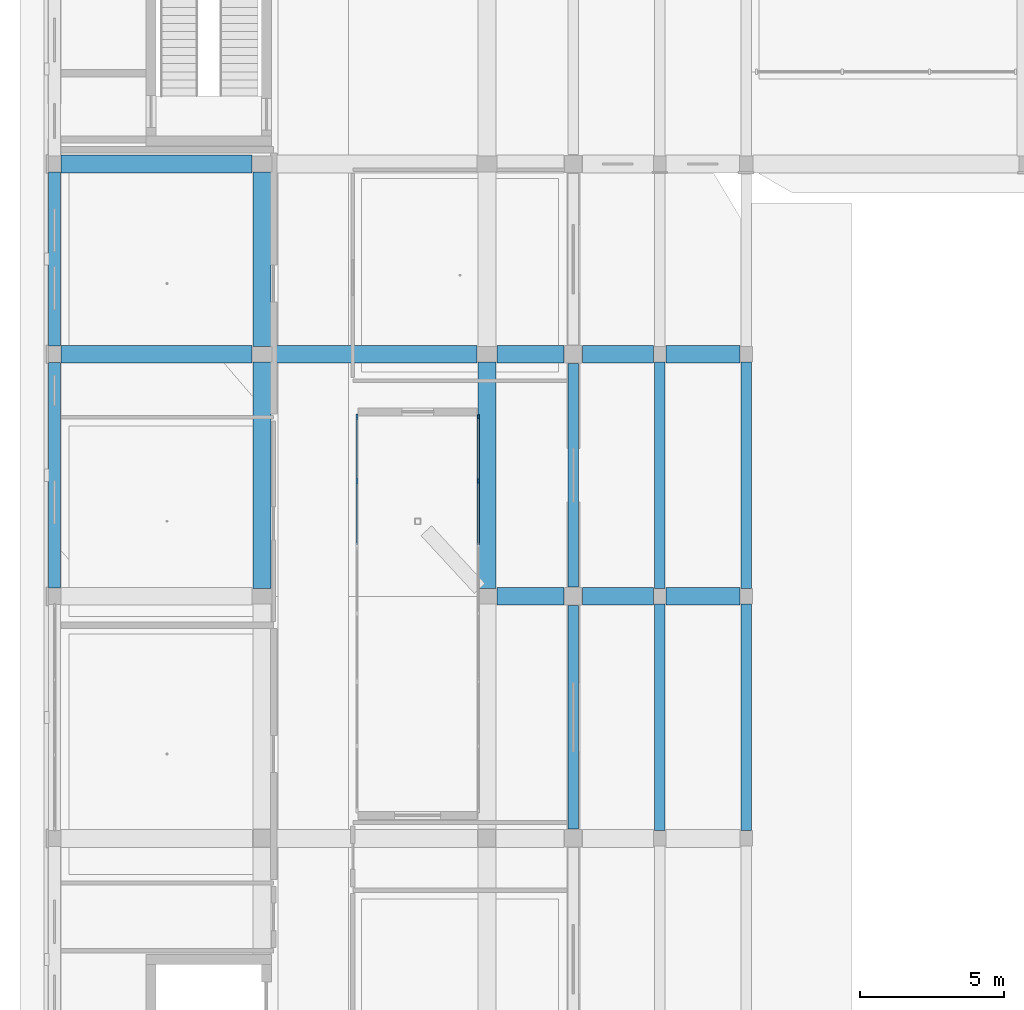
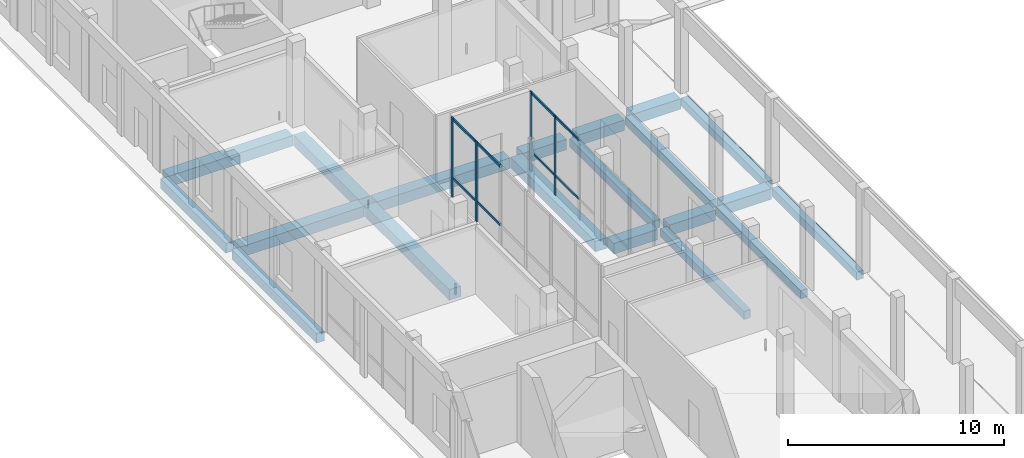
# One storey, part 22 of 88: 20 beams, 8 members, 2 elements without a shape of their own.
"""IFC4 building model written with IfcOpenShell, lengths in metres."""

from ifc_helpers import new_model, si_unit, derived_unit, direction, frame, origin, origin_2d, place, context, subcontext, project, spatial, rectangle, extrude, material, material_profile, profile_set, type_object, element, aggregate, save


model = new_model("IFC4")

# Units and contexts
model_context = context("Model", 3, precision=1e-05, world=origin(), true_north=direction((0.0, 1.0)))
body_context = subcontext(model_context, "Body", "Model", "MODEL_VIEW")
ifc_project = project(units=[si_unit("LENGTHUNIT", "METRE"), si_unit("AREAUNIT", "SQUARE_METRE"), si_unit("VOLUMEUNIT", "CUBIC_METRE"), si_unit("PLANEANGLEUNIT", "RADIAN"), si_unit("MASSUNIT", "GRAM", prefix="KILO"), derived_unit("THERMALTRANSMITTANCEUNIT", [(si_unit("POWERUNIT", "WATT"), 1), (si_unit("LENGTHUNIT", "METRE"), -2), (si_unit("THERMODYNAMICTEMPERATUREUNIT", "KELVIN"), -1)])], contexts=[model_context])

# Site, building, storey
site_placement = place(None, origin())
site = spatial("IfcSite", under=ifc_project, at=site_placement, CompositionType="ELEMENT")
building_placement = place(site_placement, origin())
building = spatial("IfcBuilding", under=site, at=building_placement, Name="Braskholm Square Health Centre", CompositionType="ELEMENT")
storey_placement = place(building_placement, origin())
storey = spatial("IfcBuildingStorey", under=building, at=storey_placement, Name="L01", CompositionType="ELEMENT", Elevation=0.0)

# Curtain wall, members
ifc_material_1 = material(Name="Low-E triple insulating glass (VLT 0.64)", Category="glass")
curtain_wall_type = type_object("IfcCurtainWallType", Name="UnitisedCurtainWall4800x4400", PredefinedType="NOTDEFINED", material=ifc_material_1)
curtain_wall_1_placement = place(storey_placement, origin())
curtain_wall_1 = element("IfcCurtainWall", 1, at=curtain_wall_1_placement, inside=storey, type_object=curtain_wall_type, Name="WC2 Court E unitised curtain wall CW-L01-0290", PredefinedType="NOTDEFINED")
ifc_material_2 = material(Name="Architectural bronze anodised aluminium", Category="aluminium")
ifc_material_profile_1 = material_profile(ifc_material_2, rectangle(XDim=0.06494140625, YDim=0.14990234375, at=origin_2d()), Name="ALU-65X150")
ifc_profile_set_1 = profile_set([ifc_material_profile_1], Name="Architectural bronze anodised aluminium")
member_type_1 = type_object("IfcMemberType", Name="CurtainWallMullion65x150", PredefinedType="MULLION", material=ifc_profile_set_1)
member_1_placement = place(storey_placement, frame((18.89990234375, 78.432861328125, 0.0), z_axis=(0.0, 0.0, 1.0), x_axis=(1.0, 0.0, 0.0)))
member_1 = element("IfcMember", 2, at=member_1_placement, type_object=member_type_1, Name="CW-L01-0290 vertical mullion 1", PredefinedType="MULLION", context=body_context, shape_type="SweptSolid", body=[
    extrude(rectangle(XDim=0.06494140625, YDim=0.14990234375, at=origin_2d()), origin(), (0.0, 0.0, 1.0), 4.5),
])
member_2_placement = place(storey_placement, frame((18.89990234375, 76.198974609375, 0.0), z_axis=(0.0, 0.0, 1.0), x_axis=(1.0, 0.0, 0.0)))
member_2 = element("IfcMember", 3, at=member_2_placement, type_object=member_type_1, Name="CW-L01-0290 vertical mullion 2", PredefinedType="MULLION", context=body_context, shape_type="SweptSolid", body=[
    extrude(rectangle(XDim=0.06494140625, YDim=0.14990234375, at=origin_2d()), origin(), (0.0, 0.0, 1.0), 4.5),
])

curtain_wall_2_placement = place(storey_placement, origin())
curtain_wall_2 = element("IfcCurtainWall", 4, at=curtain_wall_2_placement, inside=storey, type_object=curtain_wall_type, Name="WC2 Court W unitised curtain wall CW-L01-0289", PredefinedType="NOTDEFINED")
ifc_material_profile_2 = material_profile(ifc_material_2, rectangle(XDim=0.074951171875, YDim=0.179931640625, at=origin_2d()), Name="ALU-75X180")
ifc_profile_set_2 = profile_set([ifc_material_profile_2], Name="Architectural bronze anodised aluminium")
member_type_2 = type_object("IfcMemberType", Name="CurtainWallMullion75x180", PredefinedType="MULLION", material=ifc_profile_set_2)
member_3_placement = place(storey_placement, frame((14.699951171875, 76.198974609375, 0.0), z_axis=(0.0, 0.0, 1.0), x_axis=(1.0, 0.0, 0.0)))
member_3 = element("IfcMember", 5, at=member_3_placement, type_object=member_type_2, Name="CW-L01-0289 vertical mullion 2", PredefinedType="MULLION", context=body_context, shape_type="SweptSolid", body=[
    extrude(rectangle(XDim=0.074951171875, YDim=0.179931640625, at=origin_2d()), origin(), (0.0, 0.0, 1.0), 4.5),
])
member_4_placement = place(storey_placement, frame((14.699951171875, 78.432861328125, 0.0), z_axis=(0.0, 0.0, 1.0), x_axis=(1.0, 0.0, 0.0)))
member_4 = element("IfcMember", 6, at=member_4_placement, type_object=member_type_2, Name="CW-L01-0289 vertical mullion 3", PredefinedType="MULLION", context=body_context, shape_type="SweptSolid", body=[
    extrude(rectangle(XDim=0.074951171875, YDim=0.179931640625, at=origin_2d()), origin(), (0.0, 0.0, 1.0), 4.5),
])

# Member
ifc_material_profile_3 = material_profile(ifc_material_2, rectangle(XDim=0.06494140625, YDim=0.1201171875, at=origin_2d()), Name="ALU-65X120")
ifc_profile_set_3 = profile_set([ifc_material_profile_3], Name="Architectural bronze anodised aluminium")
member_type_3 = type_object("IfcMemberType", Name="CurtainWallTransom65x120", PredefinedType="USERDEFINED", material=ifc_profile_set_3)
member_5_placement = place(storey_placement, frame((18.89990234375, 78.4150390625, 1.1201171875), z_axis=(0.0, -1.0, 0.0), x_axis=(1.0, 0.0, 0.0)))
member_5 = element("IfcMember", 7, at=member_5_placement, type_object=member_type_3, Name="CW-L01-0290 horizontal transom 1", ObjectType="TRANSOM", PredefinedType="USERDEFINED", context=body_context, shape_type="SweptSolid", body=[
    extrude(rectangle(XDim=0.06494140625, YDim=0.1201171875, at=origin_2d()), origin(), (0.0, 0.0, 1.0), 4.43212890625),
])

member_6_placement = place(storey_placement, frame((18.89990234375, 78.4150390625, 4.429931640625), z_axis=(0.0, -1.0, 0.0), x_axis=(1.0, 0.0, 0.0)))
member_6 = element("IfcMember", 8, at=member_6_placement, type_object=member_type_3, Name="CW-L01-0290 horizontal transom 2", ObjectType="TRANSOM", PredefinedType="USERDEFINED", context=body_context, shape_type="SweptSolid", body=[
    extrude(rectangle(XDim=0.06494140625, YDim=0.1201171875, at=origin_2d()), origin(), (0.0, 0.0, 1.0), 4.43212890625),
])

aggregate(curtain_wall_1, [member_1, member_2, member_5, member_6])

ifc_material_profile_4 = material_profile(ifc_material_2, rectangle(XDim=0.074951171875, YDim=0.139892578125, at=origin_2d()), Name="ALU-75X140")
ifc_profile_set_4 = profile_set([ifc_material_profile_4], Name="Architectural bronze anodised aluminium")
member_type_4 = type_object("IfcMemberType", Name="CurtainWallTransom75x140", PredefinedType="USERDEFINED", material=ifc_profile_set_4)
member_7_placement = place(storey_placement, frame((14.699951171875, 73.98291015625, 1.1201171875), z_axis=(0.0, 1.0, 0.0), x_axis=(-1.0, 0.0, 0.0)))
member_7 = element("IfcMember", 9, at=member_7_placement, type_object=member_type_4, Name="CW-L01-0289 horizontal transom 1", ObjectType="TRANSOM", PredefinedType="USERDEFINED", context=body_context, shape_type="SweptSolid", body=[
    extrude(rectangle(XDim=0.074951171875, YDim=0.139892578125, at=origin_2d()), origin(), (0.0, 0.0, 1.0), 4.43212890625),
])

member_8_placement = place(storey_placement, frame((14.699951171875, 73.98291015625, 4.429931640625), z_axis=(0.0, 1.0, 0.0), x_axis=(-1.0, 0.0, 0.0)))
member_8 = element("IfcMember", 10, at=member_8_placement, type_object=member_type_4, Name="CW-L01-0289 horizontal transom 2", ObjectType="TRANSOM", PredefinedType="USERDEFINED", context=body_context, shape_type="SweptSolid", body=[
    extrude(rectangle(XDim=0.074951171875, YDim=0.139892578125, at=origin_2d()), origin(), (0.0, 0.0, 1.0), 4.43212890625),
])

aggregate(curtain_wall_2, [member_3, member_4, member_7, member_8])

# Beams
ifc_material_3 = material(Name="Concrete C40/50 (f'c = 40 MPa)", Category="concrete")
ifc_material_profile_5 = material_profile(ifc_material_3, rectangle(XDim=0.6201171875, YDim=0.60009765625, at=origin_2d()), Name="RCB-620X600")
ifc_profile_set_5 = profile_set([ifc_material_profile_5], Name="Concrete C40/50 (f'c = 40 MPa)")
beam_type_1 = type_object("IfcBeamType", Name="PrimarySubstructureBeam620x600", PredefinedType="BEAM", material=ifc_profile_set_5)
beam_1_placement = place(storey_placement, frame((11.39990234375, 72.47509765625, -0.679931640625), z_axis=(0.0, 1.0, 0.0), x_axis=(-1.0, 0.0, 0.0)))
element("IfcBeam", 11, at=beam_1_placement, inside=storey, type_object=beam_type_1, Name="Beam 2/L-M L01", PredefinedType="BEAM", context=body_context, shape_type="SweptSolid", body=[
    extrude(rectangle(XDim=0.6201171875, YDim=0.60009765625, at=origin_2d()), origin(), (0.0, 0.0, 1.0), 7.849853515625),
])
beam_2_placement = place(storey_placement, frame((11.39990234375, 80.875, -0.679931640625), z_axis=(0.0, 1.0, 0.0), x_axis=(-1.0, 0.0, 0.0)))
element("IfcBeam", 12, at=beam_2_placement, inside=storey, type_object=beam_type_1, Name="Beam 2/M-N L01", PredefinedType="BEAM", context=body_context, shape_type="SweptSolid", body=[
    extrude(rectangle(XDim=0.6201171875, YDim=0.60009765625, at=origin_2d()), origin(), (0.0, 0.0, 1.0), 6.050048828125),
])
beam_3_placement = place(storey_placement, frame((19.199951171875, 72.47509765625, -0.679931640625), z_axis=(0.0, 1.0, 0.0), x_axis=(-1.0, 0.0, 0.0)))
element("IfcBeam", 13, at=beam_3_placement, inside=storey, type_object=beam_type_1, Name="Beam 3/L-M L01", PredefinedType="BEAM", context=body_context, shape_type="SweptSolid", body=[
    extrude(rectangle(XDim=0.6201171875, YDim=0.60009765625, at=origin_2d()), origin(), (0.0, 0.0, 1.0), 7.849853515625),
])
beam_4_placement = place(storey_placement, frame((19.550048828125, 72.199951171875, -0.679931640625), z_axis=(1.0, 0.0, 0.0), x_axis=(0.0, 1.0, 0.0)))
element("IfcBeam", 14, at=beam_4_placement, inside=storey, type_object=beam_type_1, Name="Beam 3-4/L L01", PredefinedType="BEAM", context=body_context, shape_type="SweptSolid", body=[
    extrude(rectangle(XDim=0.6201171875, YDim=0.60009765625, at=origin_2d()), origin(), (0.0, 0.0, 1.0), 2.324951171875),
])
beam_5_placement = place(storey_placement, frame((22.52490234375, 72.199951171875, -0.679931640625), z_axis=(1.0, 0.0, 0.0), x_axis=(0.0, 1.0, 0.0)))
element("IfcBeam", 15, at=beam_5_placement, inside=storey, type_object=beam_type_1, Name="Beam 4-5/L L01", PredefinedType="BEAM", context=body_context, shape_type="SweptSolid", body=[
    extrude(rectangle(XDim=0.6201171875, YDim=0.60009765625, at=origin_2d()), origin(), (0.0, 0.0, 1.0), 2.455078125),
])
beam_6_placement = place(storey_placement, frame((25.419921875, 72.199951171875, -0.52490234375), z_axis=(1.0, 0.0, 0.0), x_axis=(0.0, 1.0, 0.0)))
element("IfcBeam", 16, at=beam_6_placement, inside=storey, type_object=beam_type_1, Name="Beam 5-6/L L01", PredefinedType="BEAM", context=body_context, shape_type="SweptSolid", body=[
    extrude(rectangle(XDim=0.6201171875, YDim=0.60009765625, at=origin_2d()), origin(), (0.0, 0.0, 1.0), 2.56005859375),
])
beam_7_placement = place(storey_placement, frame((4.429931640625, 80.60009765625, -0.679931640625), z_axis=(1.0, 0.0, 0.0), x_axis=(0.0, 1.0, 0.0)))
element("IfcBeam", 17, at=beam_7_placement, inside=storey, type_object=beam_type_1, Name="Beam 1-2/M L01", PredefinedType="BEAM", context=body_context, shape_type="SweptSolid", body=[
    extrude(rectangle(XDim=0.6201171875, YDim=0.60009765625, at=origin_2d()), origin(), (0.0, 0.0, 1.0), 6.6201171875),
])
beam_8_placement = place(storey_placement, frame((11.75, 80.60009765625, -0.679931640625), z_axis=(1.0, 0.0, 0.0), x_axis=(0.0, 1.0, 0.0)))
element("IfcBeam", 18, at=beam_8_placement, inside=storey, type_object=beam_type_1, Name="Beam 2-3/M L01", PredefinedType="BEAM", context=body_context, shape_type="SweptSolid", body=[
    extrude(rectangle(XDim=0.6201171875, YDim=0.60009765625, at=origin_2d()), origin(), (0.0, 0.0, 1.0), 7.10009765625),
])
beam_9_placement = place(storey_placement, frame((19.550048828125, 80.60009765625, -0.679931640625), z_axis=(1.0, 0.0, 0.0), x_axis=(0.0, 1.0, 0.0)))
element("IfcBeam", 19, at=beam_9_placement, inside=storey, type_object=beam_type_1, Name="Beam 3-4/M L01", PredefinedType="BEAM", context=body_context, shape_type="SweptSolid", body=[
    extrude(rectangle(XDim=0.6201171875, YDim=0.60009765625, at=origin_2d()), origin(), (0.0, 0.0, 1.0), 2.324951171875),
])
beam_10_placement = place(storey_placement, frame((22.52490234375, 80.60009765625, -0.679931640625), z_axis=(1.0, 0.0, 0.0), x_axis=(0.0, 1.0, 0.0)))
element("IfcBeam", 20, at=beam_10_placement, inside=storey, type_object=beam_type_1, Name="Beam 4-5/M L01", PredefinedType="BEAM", context=body_context, shape_type="SweptSolid", body=[
    extrude(rectangle(XDim=0.6201171875, YDim=0.60009765625, at=origin_2d()), origin(), (0.0, 0.0, 1.0), 2.455078125),
])
beam_11_placement = place(storey_placement, frame((25.419921875, 80.60009765625, -0.52490234375), z_axis=(1.0, 0.0, 0.0), x_axis=(0.0, 1.0, 0.0)))
element("IfcBeam", 21, at=beam_11_placement, inside=storey, type_object=beam_type_1, Name="Beam 5-6/M L01", PredefinedType="BEAM", context=body_context, shape_type="SweptSolid", body=[
    extrude(rectangle(XDim=0.6201171875, YDim=0.60009765625, at=origin_2d()), origin(), (0.0, 0.0, 1.0), 2.56005859375),
])
beam_12_placement = place(storey_placement, frame((4.429931640625, 87.199951171875, -0.679931640625), z_axis=(1.0, 0.0, 0.0), x_axis=(0.0, 1.0, 0.0)))
element("IfcBeam", 22, at=beam_12_placement, inside=storey, type_object=beam_type_1, Name="Beam 1-2/N L01", PredefinedType="BEAM", context=body_context, shape_type="SweptSolid", body=[
    extrude(rectangle(XDim=0.6201171875, YDim=0.60009765625, at=origin_2d()), origin(), (0.0, 0.0, 1.0), 6.6201171875),
])
ifc_material_4 = material(Name="Precast concrete C40/50 architectural white", Category="concrete")
ifc_material_profile_6 = material_profile(ifc_material_4, rectangle(XDim=0.419921875, YDim=0.550048828125, at=origin_2d()), Name="RCB-420X550")
ifc_profile_set_6 = profile_set([ifc_material_profile_6], Name="Precast concrete C40/50 architectural white")
beam_type_2 = type_object("IfcBeamType", Name="SpandrelPrecastLedge420x550", PredefinedType="SPANDREL", material=ifc_profile_set_6)
beam_13_placement = place(storey_placement, frame((4.199951171875, 72.47998046875, -0.655029296875), z_axis=(0.0, 1.0, 0.0), x_axis=(-1.0, 0.0, 0.0)))
element("IfcBeam", 23, at=beam_13_placement, inside=storey, type_object=beam_type_2, Name="Beam 1/L-M L01", PredefinedType="SPANDREL", context=body_context, shape_type="SweptSolid", body=[
    extrude(rectangle(XDim=0.419921875, YDim=0.550048828125, at=origin_2d()), origin(), (0.0, 0.0, 1.0), 7.840087890625),
])
beam_14_placement = place(storey_placement, frame((4.199951171875, 80.8798828125, -0.655029296875), z_axis=(0.0, 1.0, 0.0), x_axis=(-1.0, 0.0, 0.0)))
element("IfcBeam", 24, at=beam_14_placement, inside=storey, type_object=beam_type_2, Name="Beam 1/M-N L01", PredefinedType="SPANDREL", context=body_context, shape_type="SweptSolid", body=[
    extrude(rectangle(XDim=0.419921875, YDim=0.550048828125, at=origin_2d()), origin(), (0.0, 0.0, 1.0), 6.0400390625),
])
ifc_material_profile_7 = material_profile(ifc_material_4, rectangle(XDim=0.360107421875, YDim=0.4599609375, at=origin_2d()), Name="RCB-360X460")
ifc_profile_set_7 = profile_set([ifc_material_profile_7], Name="Precast concrete C40/50 architectural white")
beam_type_3 = type_object("IfcBeamType", Name="SpandrelTerraceEdge360x460", PredefinedType="SPANDREL", material=ifc_profile_set_7)
for number, where, z_axis, x_axis, name in (
    (25, (22.199951171875, 64.125, -0.610107421875), (0.0, 1.0, 0.0), (-1.0, 0.0, 0.0), "Beam 4/K-L L01"),
    (26, (22.199951171875, 72.52490234375, -0.610107421875), (0.0, 1.0, 0.0), (-1.0, 0.0, 0.0), "Beam 4/L-M L01"),
):
    element("IfcBeam", number, at=place(storey_placement, frame(where, z_axis=z_axis, x_axis=x_axis)), inside=storey, type_object=beam_type_3, Name=name, PredefinedType="SPANDREL", context=body_context, shape_type="SweptSolid", body=[
        extrude(rectangle(XDim=0.360107421875, YDim=0.4599609375, at=origin_2d()), origin(), (0.0, 0.0, 1.0), 7.75),
    ])
beam_15_placement = place(storey_placement, frame((25.199951171875, 64.070068359375, -0.455078125), z_axis=(0.0, 1.0, 0.0), x_axis=(-1.0, 0.0, 0.0)))
element("IfcBeam", 27, at=beam_15_placement, inside=storey, type_object=beam_type_3, Name="Beam 5/K-L L01", PredefinedType="SPANDREL", context=body_context, shape_type="SweptSolid", body=[
    extrude(rectangle(XDim=0.360107421875, YDim=0.4599609375, at=origin_2d()), origin(), (0.0, 0.0, 1.0), 7.85986328125),
])
beam_16_placement = place(storey_placement, frame((25.199951171875, 72.469970703125, -0.455078125), z_axis=(0.0, 1.0, 0.0), x_axis=(-1.0, 0.0, 0.0)))
element("IfcBeam", 28, at=beam_16_placement, inside=storey, type_object=beam_type_3, Name="Beam 5/L-M L01", PredefinedType="SPANDREL", context=body_context, shape_type="SweptSolid", body=[
    extrude(rectangle(XDim=0.360107421875, YDim=0.4599609375, at=origin_2d()), origin(), (0.0, 0.0, 1.0), 7.860107421875),
])
beam_17_placement = place(storey_placement, frame((28.199951171875, 64.070068359375, -0.455078125), z_axis=(0.0, 1.0, 0.0), x_axis=(-1.0, 0.0, 0.0)))
element("IfcBeam", 29, at=beam_17_placement, inside=storey, type_object=beam_type_3, Name="Beam 6/K-L L01", PredefinedType="SPANDREL", context=body_context, shape_type="SweptSolid", body=[
    extrude(rectangle(XDim=0.360107421875, YDim=0.4599609375, at=origin_2d()), origin(), (0.0, 0.0, 1.0), 7.85986328125),
])
beam_18_placement = place(storey_placement, frame((28.199951171875, 72.469970703125, -0.455078125), z_axis=(0.0, 1.0, 0.0), x_axis=(-1.0, 0.0, 0.0)))
element("IfcBeam", 30, at=beam_18_placement, inside=storey, type_object=beam_type_3, Name="Beam 6/L-M L01", PredefinedType="SPANDREL", context=body_context, shape_type="SweptSolid", body=[
    extrude(rectangle(XDim=0.360107421875, YDim=0.4599609375, at=origin_2d()), origin(), (0.0, 0.0, 1.0), 7.860107421875),
])

save(model, "model.ifc")
